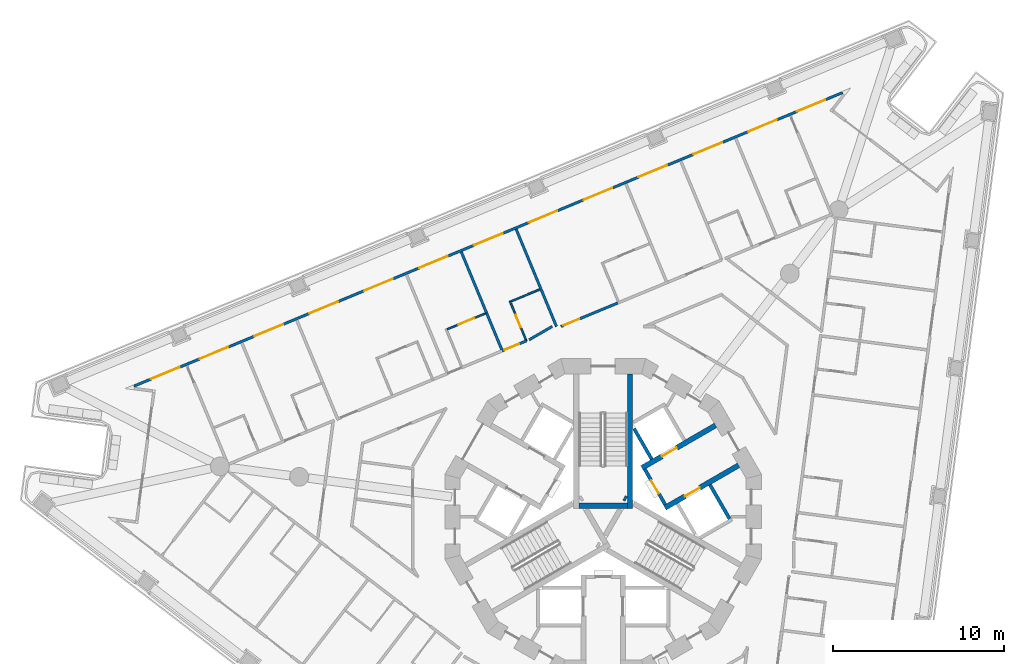
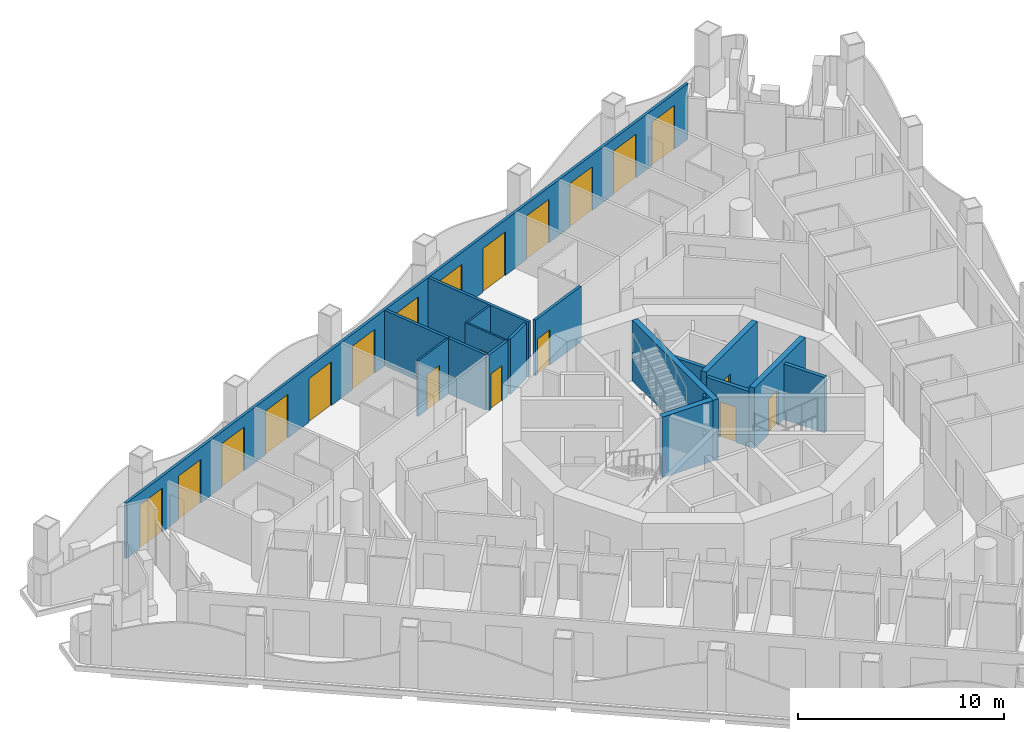
# One storey, part 8 of 18: 20 doors, 18 walls, 20 openings.
"""IFC4 building model written with IfcOpenShell, lengths in metres."""

from ifc_helpers import new_model, si_unit, direction, frame, frame_2d, origin, place, context, subcontext, project, spatial, polyline, rectangle, outline, extrude, material, layer, layer_set, type_object, element, fill, save


model = new_model("IFC4")

# Units and contexts
model_context = context("Model", 3, precision=1e-05, world=origin(), true_north=direction((0.0, 1.0)))
body_context = subcontext(model_context, "Body", "Model", "MODEL_VIEW")
ifc_project = project(units=[si_unit("LENGTHUNIT", "METRE"), si_unit("AREAUNIT", "SQUARE_METRE"), si_unit("VOLUMEUNIT", "CUBIC_METRE"), si_unit("PLANEANGLEUNIT", "RADIAN"), si_unit("MASSUNIT", "GRAM", prefix="KILO")], contexts=[model_context])

# Site, building, storey
site_placement = place(None, origin())
site = spatial("IfcSite", under=ifc_project, at=site_placement, CompositionType="ELEMENT")
building_placement = place(site_placement, origin())
building = spatial("IfcBuilding", under=site, at=building_placement, Name="Trine Commons Tower", CompositionType="ELEMENT")
storey_placement = place(building_placement, frame((0.0, 0.0, 145.800048828125)))
storey = spatial("IfcBuildingStorey", under=building, at=storey_placement, Name="L37", CompositionType="ELEMENT", Elevation=145.800048828125)

# Wall, openings, doors
ifc_material_1 = material(Name="Aluminium-framed insulated wall panel", Category="aluminium")
ifc_layer_1 = layer(ifc_material_1, 0.14990234375)
ifc_layer_set_1 = layer_set([ifc_layer_1], Name="Aluminium-framed insulated wall panel")
wall_type_1 = type_object("IfcWallType", Name="Glazed frame wall 150, EI 60", PredefinedType="SOLIDWALL", material=ifc_layer_set_1)
wall_1_placement = place(storey_placement, frame((52.38671875, 70.099609375, 0.0), z_axis=(0.0, 0.0, 1.0), x_axis=(0.92388051416, 0.382681062447, 0.0)))
wall_1 = element("IfcWall", 1, at=wall_1_placement, inside=storey, type_object=wall_type_1, Name="Glazed frame wall F1", PredefinedType="SOLIDWALL", context=body_context, shape_type="SweptSolid", body=[
    extrude(outline(polyline([(0.1494140625, 0.074951171875), (0.1494140625, -0.074951171875), (45.056884765625, -0.074951171875), (45.056884765625, 0.074951171875), (0.1494140625, 0.074951171875)])), origin(), (0.0, 0.0, 1.0), 3.300048828125),
])
opening_1_placement = place(wall_1_placement, frame((1.23876953125, 0.0, 0.0)))
opening_1 = element("IfcOpeningElement", 2, at=opening_1_placement, cuts=wall_1, Name="Opening BD-4F1-01", PredefinedType="OPENING", context=body_context, shape_type="SweptSolid", body=[
    extrude(rectangle(XDim=1.800048828125, YDim=2.60009765625, at=frame_2d((0.89990234375, 1.300048828125))), frame((0.0, 0.0849609375, 0.0), z_axis=(0.0, -1.0, 0.0), x_axis=(1.0, 0.0, 0.0)), (0.0, 0.0, 1.0), 0.169921875),
])
opening_2_placement = place(wall_1_placement, frame((4.316162109375, 0.0, 0.0)))
opening_2 = element("IfcOpeningElement", 3, at=opening_2_placement, cuts=wall_1, Name="Opening BD-4F1-02", PredefinedType="OPENING", context=body_context, shape_type="SweptSolid", body=[
    extrude(rectangle(XDim=1.800048828125, YDim=2.60009765625, at=frame_2d((0.89990234375, 1.300048828125))), frame((0.0, 0.0849609375, 0.0), z_axis=(0.0, -1.0, 0.0), x_axis=(1.0, 0.0, 0.0)), (0.0, 0.0, 1.0), 0.169921875),
])
opening_3_placement = place(wall_1_placement, frame((7.79345703125, 0.0, 0.0)))
opening_3 = element("IfcOpeningElement", 4, at=opening_3_placement, cuts=wall_1, Name="Opening BD-4F1-03", PredefinedType="OPENING", context=body_context, shape_type="SweptSolid", body=[
    extrude(rectangle(XDim=1.800048828125, YDim=2.60009765625, at=frame_2d((0.89990234375, 1.300048828125))), frame((0.0, 0.0849609375, 0.0), z_axis=(0.0, -1.0, 0.0), x_axis=(1.0, 0.0, 0.0)), (0.0, 0.0, 1.0), 0.169921875),
])
opening_4_placement = place(wall_1_placement, frame((11.27099609375, 0.0, 0.0)))
opening_4 = element("IfcOpeningElement", 5, at=opening_4_placement, cuts=wall_1, Name="Opening BD-4F1-04", PredefinedType="OPENING", context=body_context, shape_type="SweptSolid", body=[
    extrude(rectangle(XDim=1.800048828125, YDim=2.60009765625, at=frame_2d((0.89990234375, 1.300048828125))), frame((0.0, 0.0849609375, 0.0), z_axis=(0.0, -1.0, 0.0), x_axis=(1.0, 0.0, 0.0)), (0.0, 0.0, 1.0), 0.169921875),
])
opening_5_placement = place(wall_1_placement, frame((14.748291015625, 0.0, 0.0)))
opening_5 = element("IfcOpeningElement", 6, at=opening_5_placement, cuts=wall_1, Name="Opening BD-4F1-05", PredefinedType="OPENING", context=body_context, shape_type="SweptSolid", body=[
    extrude(rectangle(XDim=1.800048828125, YDim=2.60009765625, at=frame_2d((0.89990234375, 1.300048828125))), frame((0.0, 0.0849609375, 0.0), z_axis=(0.0, -1.0, 0.0), x_axis=(1.0, 0.0, 0.0)), (0.0, 0.0, 1.0), 0.169921875),
])
opening_6_placement = place(wall_1_placement, frame((18.2255859375, 0.0, 0.0)))
opening_6 = element("IfcOpeningElement", 7, at=opening_6_placement, cuts=wall_1, Name="Opening BD-4F1-06", PredefinedType="OPENING", context=body_context, shape_type="SweptSolid", body=[
    extrude(rectangle(XDim=1.800048828125, YDim=2.60009765625, at=frame_2d((0.89990234375, 1.300048828125))), frame((0.0, 0.0849609375, 0.0), z_axis=(0.0, -1.0, 0.0), x_axis=(1.0, 0.0, 0.0)), (0.0, 0.0, 1.0), 0.169921875),
])
opening_7_placement = place(wall_1_placement, frame((21.703125, 0.0, 0.0)))
opening_7 = element("IfcOpeningElement", 8, at=opening_7_placement, cuts=wall_1, Name="Opening BD-4F1-07", PredefinedType="OPENING", context=body_context, shape_type="SweptSolid", body=[
    extrude(rectangle(XDim=1.800048828125, YDim=2.60009765625, at=frame_2d((0.89990234375, 1.300048828125))), frame((0.0, 0.0849609375, 0.0), z_axis=(0.0, -1.0, 0.0), x_axis=(1.0, 0.0, 0.0)), (0.0, 0.0, 1.0), 0.169921875),
])
opening_8_placement = place(wall_1_placement, frame((25.180419921875, 0.0, 0.0)))
opening_8 = element("IfcOpeningElement", 9, at=opening_8_placement, cuts=wall_1, Name="Opening BD-4F1-08", PredefinedType="OPENING", context=body_context, shape_type="SweptSolid", body=[
    extrude(rectangle(XDim=1.800048828125, YDim=2.60009765625, at=frame_2d((0.89990234375, 1.300048828125))), frame((0.0, 0.0849609375, 0.0), z_axis=(0.0, -1.0, 0.0), x_axis=(1.0, 0.0, 0.0)), (0.0, 0.0, 1.0), 0.169921875),
])
opening_9_placement = place(wall_1_placement, frame((28.657958984375, 0.0, 0.0)))
opening_9 = element("IfcOpeningElement", 10, at=opening_9_placement, cuts=wall_1, Name="Opening BD-4F1-09", PredefinedType="OPENING", context=body_context, shape_type="SweptSolid", body=[
    extrude(rectangle(XDim=1.800048828125, YDim=2.60009765625, at=frame_2d((0.89990234375, 1.300048828125))), frame((0.0, 0.0849609375, 0.0), z_axis=(0.0, -1.0, 0.0), x_axis=(1.0, 0.0, 0.0)), (0.0, 0.0, 1.0), 0.169921875),
])
opening_10_placement = place(wall_1_placement, frame((32.13525390625, 0.0, 0.0)))
opening_10 = element("IfcOpeningElement", 11, at=opening_10_placement, cuts=wall_1, Name="Opening BD-4F1-10", PredefinedType="OPENING", context=body_context, shape_type="SweptSolid", body=[
    extrude(rectangle(XDim=1.800048828125, YDim=2.60009765625, at=frame_2d((0.89990234375, 1.300048828125))), frame((0.0, 0.0849609375, 0.0), z_axis=(0.0, -1.0, 0.0), x_axis=(1.0, 0.0, 0.0)), (0.0, 0.0, 1.0), 0.169921875),
])
opening_11_placement = place(wall_1_placement, frame((35.61279296875, 0.0, 0.0)))
opening_11 = element("IfcOpeningElement", 12, at=opening_11_placement, cuts=wall_1, Name="Opening BD-4F1-11", PredefinedType="OPENING", context=body_context, shape_type="SweptSolid", body=[
    extrude(rectangle(XDim=1.800048828125, YDim=2.60009765625, at=frame_2d((0.89990234375, 1.300048828125))), frame((0.0, 0.0849609375, 0.0), z_axis=(0.0, -1.0, 0.0), x_axis=(1.0, 0.0, 0.0)), (0.0, 0.0, 1.0), 0.169921875),
])
opening_12_placement = place(wall_1_placement, frame((39.090087890625, 0.0, 0.0)))
opening_12 = element("IfcOpeningElement", 13, at=opening_12_placement, cuts=wall_1, Name="Opening BD-4F1-12", PredefinedType="OPENING", context=body_context, shape_type="SweptSolid", body=[
    extrude(rectangle(XDim=1.800048828125, YDim=2.60009765625, at=frame_2d((0.89990234375, 1.300048828125))), frame((0.0, 0.0849609375, 0.0), z_axis=(0.0, -1.0, 0.0), x_axis=(1.0, 0.0, 0.0)), (0.0, 0.0, 1.0), 0.169921875),
])
opening_13_placement = place(wall_1_placement, frame((42.16748046875, 0.0, 0.0)))
opening_13 = element("IfcOpeningElement", 14, at=opening_13_placement, cuts=wall_1, Name="Opening BD-4F1-13", PredefinedType="OPENING", context=body_context, shape_type="SweptSolid", body=[
    extrude(rectangle(XDim=1.800048828125, YDim=2.60009765625, at=frame_2d((0.89990234375, 1.300048828125))), frame((0.0, 0.0849609375, 0.0), z_axis=(0.0, -1.0, 0.0), x_axis=(1.0, 0.0, 0.0)), (0.0, 0.0, 1.0), 0.169921875),
])
ifc_material_2 = material(Name="Anodised aluminium frame with double glazing", Category="aluminium")
door_type_1 = type_object("IfcDoorType", Name="Sliding loggia door 1800x2600", OperationType="SLIDING_TO_LEFT", PredefinedType="DOOR", material=ifc_material_2)
door_1_placement = place(opening_1_placement, origin())
door_1 = element("IfcDoor", 15, at=door_1_placement, inside=storey, type_object=door_type_1, Name="Loggia door F1 1", OperationType="SLIDING_TO_LEFT", OverallHeight=2.60009765625, OverallWidth=1.800048828125, PredefinedType="DOOR", context=body_context, shape_type="SweptSolid", body=[
    extrude(rectangle(XDim=1.800048828125, YDim=2.60009765625, at=frame_2d((0.89990234375, 1.300048828125))), frame((0.0, 0.02490234375, 0.0), z_axis=(0.0, -1.0, 0.0), x_axis=(1.0, 0.0, 0.0)), (0.0, 0.0, 1.0), 0.050048828125),
])
fill(opening_1, door_1)
door_2_placement = place(opening_2_placement, origin())
door_2 = element("IfcDoor", 16, at=door_2_placement, inside=storey, type_object=door_type_1, Name="Loggia door F1 2", OperationType="SLIDING_TO_LEFT", OverallHeight=2.60009765625, OverallWidth=1.800048828125, PredefinedType="DOOR", context=body_context, shape_type="SweptSolid", body=[
    extrude(rectangle(XDim=1.800048828125, YDim=2.60009765625, at=frame_2d((0.89990234375, 1.300048828125))), frame((0.0, 0.02490234375, 0.0), z_axis=(0.0, -1.0, 0.0), x_axis=(1.0, 0.0, 0.0)), (0.0, 0.0, 1.0), 0.050048828125),
])
fill(opening_2, door_2)
door_3_placement = place(opening_3_placement, origin())
door_3 = element("IfcDoor", 17, at=door_3_placement, inside=storey, type_object=door_type_1, Name="Loggia door F1 3", OperationType="SLIDING_TO_LEFT", OverallHeight=2.60009765625, OverallWidth=1.800048828125, PredefinedType="DOOR", context=body_context, shape_type="SweptSolid", body=[
    extrude(rectangle(XDim=1.800048828125, YDim=2.60009765625, at=frame_2d((0.89990234375, 1.300048828125))), frame((0.0, 0.02490234375, 0.0), z_axis=(0.0, -1.0, 0.0), x_axis=(1.0, 0.0, 0.0)), (0.0, 0.0, 1.0), 0.050048828125),
])
fill(opening_3, door_3)
door_4_placement = place(opening_4_placement, origin())
door_4 = element("IfcDoor", 18, at=door_4_placement, inside=storey, type_object=door_type_1, Name="Loggia door F1 4", OperationType="SLIDING_TO_LEFT", OverallHeight=2.60009765625, OverallWidth=1.800048828125, PredefinedType="DOOR", context=body_context, shape_type="SweptSolid", body=[
    extrude(rectangle(XDim=1.800048828125, YDim=2.60009765625, at=frame_2d((0.89990234375, 1.300048828125))), frame((0.0, 0.02490234375, 0.0), z_axis=(0.0, -1.0, 0.0), x_axis=(1.0, 0.0, 0.0)), (0.0, 0.0, 1.0), 0.050048828125),
])
fill(opening_4, door_4)
door_5_placement = place(opening_5_placement, origin())
door_5 = element("IfcDoor", 19, at=door_5_placement, inside=storey, type_object=door_type_1, Name="Loggia door F1 5", OperationType="SLIDING_TO_LEFT", OverallHeight=2.60009765625, OverallWidth=1.800048828125, PredefinedType="DOOR", context=body_context, shape_type="SweptSolid", body=[
    extrude(rectangle(XDim=1.800048828125, YDim=2.60009765625, at=frame_2d((0.89990234375, 1.300048828125))), frame((0.0, 0.02490234375, 0.0), z_axis=(0.0, -1.0, 0.0), x_axis=(1.0, 0.0, 0.0)), (0.0, 0.0, 1.0), 0.050048828125),
])
fill(opening_5, door_5)
door_6_placement = place(opening_6_placement, origin())
door_6 = element("IfcDoor", 20, at=door_6_placement, inside=storey, type_object=door_type_1, Name="Loggia door F1 6", OperationType="SLIDING_TO_LEFT", OverallHeight=2.60009765625, OverallWidth=1.800048828125, PredefinedType="DOOR", context=body_context, shape_type="SweptSolid", body=[
    extrude(rectangle(XDim=1.800048828125, YDim=2.60009765625, at=frame_2d((0.89990234375, 1.300048828125))), frame((0.0, 0.02490234375, 0.0), z_axis=(0.0, -1.0, 0.0), x_axis=(1.0, 0.0, 0.0)), (0.0, 0.0, 1.0), 0.050048828125),
])
fill(opening_6, door_6)
door_7_placement = place(opening_7_placement, origin())
door_7 = element("IfcDoor", 21, at=door_7_placement, inside=storey, type_object=door_type_1, Name="Loggia door F1 7", OperationType="SLIDING_TO_LEFT", OverallHeight=2.60009765625, OverallWidth=1.800048828125, PredefinedType="DOOR", context=body_context, shape_type="SweptSolid", body=[
    extrude(rectangle(XDim=1.800048828125, YDim=2.60009765625, at=frame_2d((0.89990234375, 1.300048828125))), frame((0.0, 0.02490234375, 0.0), z_axis=(0.0, -1.0, 0.0), x_axis=(1.0, 0.0, 0.0)), (0.0, 0.0, 1.0), 0.050048828125),
])
fill(opening_7, door_7)
door_8_placement = place(opening_8_placement, origin())
door_8 = element("IfcDoor", 22, at=door_8_placement, inside=storey, type_object=door_type_1, Name="Loggia door F1 8", OperationType="SLIDING_TO_LEFT", OverallHeight=2.60009765625, OverallWidth=1.800048828125, PredefinedType="DOOR", context=body_context, shape_type="SweptSolid", body=[
    extrude(rectangle(XDim=1.800048828125, YDim=2.60009765625, at=frame_2d((0.89990234375, 1.300048828125))), frame((0.0, 0.02490234375, 0.0), z_axis=(0.0, -1.0, 0.0), x_axis=(1.0, 0.0, 0.0)), (0.0, 0.0, 1.0), 0.050048828125),
])
fill(opening_8, door_8)
door_9_placement = place(opening_9_placement, origin())
door_9 = element("IfcDoor", 23, at=door_9_placement, inside=storey, type_object=door_type_1, Name="Loggia door F1 9", OperationType="SLIDING_TO_LEFT", OverallHeight=2.60009765625, OverallWidth=1.800048828125, PredefinedType="DOOR", context=body_context, shape_type="SweptSolid", body=[
    extrude(rectangle(XDim=1.800048828125, YDim=2.60009765625, at=frame_2d((0.89990234375, 1.300048828125))), frame((0.0, 0.02490234375, 0.0), z_axis=(0.0, -1.0, 0.0), x_axis=(1.0, 0.0, 0.0)), (0.0, 0.0, 1.0), 0.050048828125),
])
fill(opening_9, door_9)
door_10_placement = place(opening_10_placement, origin())
door_10 = element("IfcDoor", 24, at=door_10_placement, inside=storey, type_object=door_type_1, Name="Loggia door F1 10", OperationType="SLIDING_TO_LEFT", OverallHeight=2.60009765625, OverallWidth=1.800048828125, PredefinedType="DOOR", context=body_context, shape_type="SweptSolid", body=[
    extrude(rectangle(XDim=1.800048828125, YDim=2.60009765625, at=frame_2d((0.89990234375, 1.300048828125))), frame((0.0, 0.02490234375, 0.0), z_axis=(0.0, -1.0, 0.0), x_axis=(1.0, 0.0, 0.0)), (0.0, 0.0, 1.0), 0.050048828125),
])
fill(opening_10, door_10)
door_11_placement = place(opening_11_placement, origin())
door_11 = element("IfcDoor", 25, at=door_11_placement, inside=storey, type_object=door_type_1, Name="Loggia door F1 11", OperationType="SLIDING_TO_LEFT", OverallHeight=2.60009765625, OverallWidth=1.800048828125, PredefinedType="DOOR", context=body_context, shape_type="SweptSolid", body=[
    extrude(rectangle(XDim=1.800048828125, YDim=2.60009765625, at=frame_2d((0.89990234375, 1.300048828125))), frame((0.0, 0.02490234375, 0.0), z_axis=(0.0, -1.0, 0.0), x_axis=(1.0, 0.0, 0.0)), (0.0, 0.0, 1.0), 0.050048828125),
])
fill(opening_11, door_11)
door_12_placement = place(opening_12_placement, origin())
door_12 = element("IfcDoor", 26, at=door_12_placement, inside=storey, type_object=door_type_1, Name="Loggia door F1 12", OperationType="SLIDING_TO_LEFT", OverallHeight=2.60009765625, OverallWidth=1.800048828125, PredefinedType="DOOR", context=body_context, shape_type="SweptSolid", body=[
    extrude(rectangle(XDim=1.800048828125, YDim=2.60009765625, at=frame_2d((0.89990234375, 1.300048828125))), frame((0.0, 0.02490234375, 0.0), z_axis=(0.0, -1.0, 0.0), x_axis=(1.0, 0.0, 0.0)), (0.0, 0.0, 1.0), 0.050048828125),
])
fill(opening_12, door_12)
door_13_placement = place(opening_13_placement, origin())
door_13 = element("IfcDoor", 27, at=door_13_placement, inside=storey, type_object=door_type_1, Name="Loggia door F1 13", OperationType="SLIDING_TO_LEFT", OverallHeight=2.60009765625, OverallWidth=1.800048828125, PredefinedType="DOOR", context=body_context, shape_type="SweptSolid", body=[
    extrude(rectangle(XDim=1.800048828125, YDim=2.60009765625, at=frame_2d((0.89990234375, 1.300048828125))), frame((0.0, 0.02490234375, 0.0), z_axis=(0.0, -1.0, 0.0), x_axis=(1.0, 0.0, 0.0)), (0.0, 0.0, 1.0), 0.050048828125),
])
fill(opening_13, door_13)

# Wall, opening, door
ifc_material_3 = material(Name="Fire-rated gypsum shaft wall system")
ifc_layer_2 = layer(ifc_material_3, 0.199951171875)
ifc_layer_set_2 = layer_set([ifc_layer_2], Name="Fire-rated gypsum shaft wall system")
wall_type_2 = type_object("IfcWallType", Name="Lobby end wall 200 mm, EI 120", PredefinedType="PARTITIONING", material=ifc_layer_set_2)
wall_2_placement = place(storey_placement, frame((83.631103515625, 63.2109375, 0.0), z_axis=(0.0, 0.0, 1.0), x_axis=(-0.50012165622, 0.865955154139, 0.0)))
wall_2 = element("IfcWall", 28, at=wall_2_placement, inside=storey, type_object=wall_type_2, Name="Lobby end wall L37", PredefinedType="PARTITIONING", context=body_context, shape_type="SweptSolid", body=[
    extrude(rectangle(XDim=2.39990234375, YDim=0.199951171875, at=frame_2d((1.199951171875, 0.0))), origin(), (0.0, 0.0, 1.0), 3.300048828125),
])
opening_14_placement = place(wall_2_placement, frame((0.749755859375, 0.0, 0.0)))
opening_14 = element("IfcOpeningElement", 29, at=opening_14_placement, cuts=wall_2, Name="Opening K12.05", PredefinedType="OPENING", context=body_context, shape_type="SweptSolid", body=[
    extrude(rectangle(XDim=0.89990234375, YDim=2.10009765625, at=frame_2d((0.449951171875, 1.050048828125))), frame((0.0, 0.10986328125, 0.0), z_axis=(0.0, -1.0, 0.0), x_axis=(1.0, 0.0, 0.0)), (0.0, 0.0, 1.0), 0.219970703125),
])
ifc_material_4 = material(Name="Steel door leaf, fire-rated", Category="steel")
door_type_2 = type_object("IfcDoorType", Name="Riser access door, single leaf 900 x 2100, FD60", OperationType="SINGLE_SWING_LEFT", PredefinedType="DOOR", material=ifc_material_4)
door_14_placement = place(opening_14_placement, frame((0.89990234375, 0.0, 0.0), z_axis=(0.0, 0.0, 1.0), x_axis=(-1.0, 0.0, 0.0)))
door_14 = element("IfcDoor", 30, at=door_14_placement, inside=storey, type_object=door_type_2, Name="Riser door, Electrical riser L37", OperationType="SINGLE_SWING_LEFT", OverallHeight=2.10009765625, OverallWidth=0.89990234375, PredefinedType="DOOR", context=body_context, shape_type="SweptSolid", body=[
    extrude(rectangle(XDim=0.89990234375, YDim=2.10009765625, at=frame_2d((0.449951171875, 1.050048828125))), frame((0.0, 0.02490234375, 0.0), z_axis=(0.0, -1.0, 0.0), x_axis=(1.0, 0.0, 0.0)), (0.0, 0.0, 1.0), 0.050048828125),
])
fill(opening_14, door_14)

ifc_material_5 = material(Name="Concrete C70/85", Category="concrete")
ifc_layer_3 = layer(ifc_material_5, 0.300048828125)
ifc_layer_set_3 = layer_set([ifc_layer_3], Name="Concrete C70/85")
wall_type_3 = type_object("IfcWallType", Name="RC shear wall 300 mm, C70/85", PredefinedType="SHEAR", material=ifc_layer_set_3)
wall_3_placement = place(storey_placement, frame((82.26904296875, 65.368896484375, 0.0), z_axis=(0.0, 0.0, 1.0), x_axis=(0.865983655544, 0.500072303102, 0.0)))
wall_3 = element("IfcWall", 31, at=wall_3_placement, inside=storey, type_object=wall_type_3, Name="Core cross wall SWB-05 L37", PredefinedType="SHEAR", context=body_context, shape_type="SweptSolid", body=[
    extrude(rectangle(XDim=4.973388671875, YDim=0.300048828125, at=frame_2d((2.48681640625, 0.0))), origin(), (0.0, 0.0, 1.0), 3.599853515625),
])
opening_15_placement = place(wall_3_placement, frame((1.3505859375, 0.0, 0.0)))
opening_15 = element("IfcOpeningElement", 32, at=opening_15_placement, cuts=wall_3, Name="Opening LD5", PredefinedType="OPENING", context=body_context, shape_type="SweptSolid", body=[
    extrude(rectangle(XDim=1.0, YDim=2.10009765625, at=frame_2d((0.5, 1.050048828125))), frame((0.0, 0.159912109375, 0.0), z_axis=(0.0, -1.0, 0.0), x_axis=(1.0, 0.0, 0.0)), (0.0, 0.0, 1.0), 0.320068359375),
])
ifc_material_6 = material(Name="Stainless steel sliding door leaves", Category="steel")
door_type_3 = type_object("IfcDoorType", Name="Lift landing door, centre-opening sliding 1000 x 2100, FD90", OperationType="DOUBLE_DOOR_SLIDING", PredefinedType="DOOR", material=ifc_material_6)
door_15_placement = place(opening_15_placement, origin())
door_15 = element("IfcDoor", 33, at=door_15_placement, inside=storey, type_object=door_type_3, Name="Lift landing door HR1 L37", OperationType="DOUBLE_DOOR_SLIDING", OverallHeight=2.10009765625, OverallWidth=1.0, PredefinedType="DOOR", context=body_context, shape_type="SweptSolid", body=[
    extrude(rectangle(XDim=1.0, YDim=2.10009765625, at=frame_2d((0.5, 1.050048828125))), frame((0.0, 0.02490234375, 0.0), z_axis=(0.0, -1.0, 0.0), x_axis=(1.0, 0.0, 0.0)), (0.0, 0.0, 1.0), 0.050048828125),
])
fill(opening_15, door_15)

wall_4_placement = place(storey_placement, frame((83.618896484375, 63.031005859375, 0.0), z_axis=(0.0, 0.0, 1.0), x_axis=(0.866080953719, 0.499903772346, 0.0)))
wall_4 = element("IfcWall", 34, at=wall_4_placement, inside=storey, type_object=wall_type_3, Name="Core cross wall SWB-06 L37", PredefinedType="SHEAR", context=body_context, shape_type="SweptSolid", body=[
    extrude(rectangle(XDim=4.97314453125, YDim=0.300048828125, at=frame_2d((2.486572265625, 0.0))), origin(), (0.0, 0.0, 1.0), 3.599853515625),
])
opening_16_placement = place(wall_4_placement, frame((1.350341796875, 0.0, 0.0)))
opening_16 = element("IfcOpeningElement", 35, at=opening_16_placement, cuts=wall_4, Name="Opening LD6", PredefinedType="OPENING", context=body_context, shape_type="SweptSolid", body=[
    extrude(rectangle(XDim=1.0, YDim=2.10009765625, at=frame_2d((0.5, 1.050048828125))), frame((0.0, 0.159912109375, 0.0), z_axis=(0.0, -1.0, 0.0), x_axis=(1.0, 0.0, 0.0)), (0.0, 0.0, 1.0), 0.320068359375),
])
door_16_placement = place(opening_16_placement, origin())
door_16 = element("IfcDoor", 36, at=door_16_placement, inside=storey, type_object=door_type_3, Name="Lift landing door HR2 L37", OperationType="DOUBLE_DOOR_SLIDING", OverallHeight=2.10009765625, OverallWidth=1.0, PredefinedType="DOOR", context=body_context, shape_type="SweptSolid", body=[
    extrude(rectangle(XDim=1.0, YDim=2.10009765625, at=frame_2d((0.5, 1.050048828125))), frame((0.0, 0.02490234375, 0.0), z_axis=(0.0, -1.0, 0.0), x_axis=(1.0, 0.0, 0.0)), (0.0, 0.0, 1.0), 0.050048828125),
])
fill(opening_16, door_16)

# Walls
wall_5_placement = place(storey_placement, frame((81.220947265625, 63.614013671875, 0.0), z_axis=(0.0, 0.0, 1.0), x_axis=(0.867737973955, -0.497021939713, 0.0)))
element("IfcWall", 37, at=wall_5_placement, inside=storey, type_object=wall_type_3, Name="Core cross wall SWB-15 L37", PredefinedType="SHEAR", context=body_context, shape_type="SweptSolid", body=[
    extrude(rectangle(XDim=0.14892578125, YDim=0.300048828125, at=frame_2d((0.074462890625, 0.0))), origin(), (0.0, 0.0, 1.0), 3.599853515625),
])
wall_6_placement = place(storey_placement, frame((81.425048828125, 63.15087890625, 0.0), z_axis=(0.0, 0.0, 1.0), x_axis=(-1.0, 0.0, 0.0)))
element("IfcWall", 38, at=wall_6_placement, inside=storey, type_object=wall_type_3, Name="Core cross wall SWB-16 L37", PredefinedType="SHEAR", context=body_context, shape_type="SweptSolid", body=[
    extrude(rectangle(XDim=2.85009765625, YDim=0.300048828125, at=frame_2d((1.425048828125, 0.0))), origin(), (0.0, 0.0, 1.0), 3.599853515625),
])
wall_7_placement = place(storey_placement, frame((81.574951171875, 63.0009765625, 0.0), z_axis=(0.0, 0.0, 1.0), x_axis=(0.0, 1.0, 0.0)))
element("IfcWall", 39, at=wall_7_placement, inside=storey, type_object=wall_type_3, Name="Core cross wall SWB-17 L37", PredefinedType="SHEAR", context=body_context, shape_type="SweptSolid", body=[
    extrude(rectangle(XDim=7.8720703125, YDim=0.300048828125, at=frame_2d((3.93603515625, 0.0))), origin(), (0.0, 0.0, 1.0), 3.599853515625),
])
ifc_layer_4 = layer(ifc_material_3, 0.199951171875)
ifc_layer_set_4 = layer_set([ifc_layer_4], Name="Fire-rated gypsum shaft wall system")
wall_type_4 = type_object("IfcWallType", Name="Shaft wall 200 mm, EI 120", PredefinedType="PARTITIONING", material=ifc_layer_set_4)
wall_8_placement = place(storey_placement, frame((82.843994140625, 65.8740234375, 0.0), z_axis=(0.0, 0.0, 1.0), x_axis=(-0.499865770674, 0.866102887253, 0.0)))
element("IfcWall", 40, at=wall_8_placement, inside=storey, type_object=wall_type_4, Name="Shaft wall L37", PredefinedType="PARTITIONING", context=body_context, shape_type="SweptSolid", body=[
    extrude(rectangle(XDim=2.064453125, YDim=0.199951171875, at=frame_2d((1.0322265625, 0.0))), origin(), (0.0, 0.0, 1.0), 3.300048828125),
])
wall_9_placement = place(storey_placement, frame((86.2490234375, 64.3759765625, 0.0), z_axis=(0.0, 0.0, 1.0), x_axis=(0.500136062276, -0.86594683394, 0.0)))
element("IfcWall", 41, at=wall_9_placement, inside=storey, type_object=wall_type_4, Name="Shaft wall L37", PredefinedType="PARTITIONING", context=body_context, shape_type="SweptSolid", body=[
    extrude(rectangle(XDim=2.299072265625, YDim=0.199951171875, at=frame_2d((1.1494140625, 0.0))), origin(), (0.0, 0.0, 1.0), 3.300048828125),
])
ifc_material_7 = material(Name="Gypsum plasterboard on steel stud", Category="steel")
ifc_layer_5 = layer(ifc_material_7, 0.14990234375)
ifc_layer_set_5 = layer_set([ifc_layer_5], Name="Gypsum plasterboard on steel stud")
wall_type_5 = type_object("IfcWallType", Name="Unit and corridor wall 150 mm, EI 60", PredefinedType="PARTITIONING", material=ifc_layer_set_5)
wall_10_placement = place(storey_placement, frame((71.69140625, 78.014892578125, 0.0), z_axis=(0.0, 0.0, 1.0), x_axis=(0.382665703831, -0.923886875711, 0.0)))
element("IfcWall", 42, at=wall_10_placement, inside=storey, type_object=wall_type_5, Name="Partition 050", PredefinedType="PARTITIONING", context=body_context, shape_type="SweptSolid", body=[
    extrude(rectangle(XDim=3.869384765625, YDim=0.14990234375, at=frame_2d((1.9345703125, 0.0))), origin(), (0.0, 0.0, 1.0), 3.300048828125),
])
wall_11_placement = place(storey_placement, frame((73.172119140625, 74.43994140625, 0.0), z_axis=(0.0, 0.0, 1.0), x_axis=(0.382877328836, -0.923799194123, 0.0)))
element("IfcWall", 43, at=wall_11_placement, inside=storey, type_object=wall_type_5, Name="Partition 054", PredefinedType="PARTITIONING", context=body_context, shape_type="SweptSolid", body=[
    extrude(rectangle(XDim=2.324951171875, YDim=0.14990234375, at=frame_2d((1.16259765625, 0.0))), origin(), (0.0, 0.0, 1.0), 3.300048828125),
])

# Wall, opening, door
wall_12_placement = place(storey_placement, frame((74.087890625, 72.220947265625, 0.0), z_axis=(0.0, 0.0, 1.0), x_axis=(0.923720156635, 0.383067973375, 0.0)))
wall_12 = element("IfcWall", 44, at=wall_12_placement, inside=storey, type_object=wall_type_5, Name="Partition 057", PredefinedType="PARTITIONING", context=body_context, shape_type="SweptSolid", body=[
    extrude(rectangle(XDim=1.535400390625, YDim=0.14990234375, at=frame_2d((0.767578125, 0.0))), origin(), (0.0, 0.0, 1.0), 3.300048828125),
])
opening_17_placement = place(wall_12_placement, frame((0.153564453125, 0.0, 0.0)))
opening_17 = element("IfcOpeningElement", 45, at=opening_17_placement, cuts=wall_12, Name="Opening D-4C09", PredefinedType="OPENING", context=body_context, shape_type="SweptSolid", body=[
    extrude(rectangle(XDim=0.89990234375, YDim=2.10009765625, at=frame_2d((0.449951171875, 1.050048828125))), frame((0.0, 0.0849609375, 0.0), z_axis=(0.0, -1.0, 0.0), x_axis=(1.0, 0.0, 0.0)), (0.0, 0.0, 1.0), 0.169921875),
])
ifc_material_8 = material(Name="Timber fire door set", Category="wood")
door_type_4 = type_object("IfcDoorType", Name="Bedroom door 900 x 2100, FD30S", OperationType="NOTDEFINED", PredefinedType="DOOR", material=ifc_material_8)
door_17_placement = place(opening_17_placement, origin())
door_17 = element("IfcDoor", 46, at=door_17_placement, inside=storey, type_object=door_type_4, Name="Door D-4C09", OperationType="SINGLE_SWING_LEFT", OverallHeight=2.10009765625, OverallWidth=0.89990234375, PredefinedType="DOOR", context=body_context, shape_type="SweptSolid", body=[
    extrude(rectangle(XDim=0.89990234375, YDim=2.10009765625, at=frame_2d((0.449951171875, 1.050048828125))), frame((0.0, 0.02490234375, 0.0), z_axis=(0.0, -1.0, 0.0), x_axis=(1.0, 0.0, 0.0)), (0.0, 0.0, 1.0), 0.050048828125),
])
fill(opening_17, door_17)

# Walls
wall_13_placement = place(storey_placement, frame((74.904296875, 79.344970703125, 0.0), z_axis=(0.0, 0.0, 1.0), x_axis=(0.382660672574, -0.923888959597, 0.0)))
element("IfcWall", 47, at=wall_13_placement, inside=storey, type_object=wall_type_5, Name="Partition 061", PredefinedType="PARTITIONING", context=body_context, shape_type="SweptSolid", body=[
    extrude(rectangle(XDim=6.166259765625, YDim=0.14990234375, at=frame_2d((3.0830078125, 0.0))), origin(), (0.0, 0.0, 1.0), 3.300048828125),
])
wall_14_placement = place(storey_placement, frame((75.666015625, 72.8701171875, 0.0), z_axis=(0.0, 0.0, 1.0), x_axis=(0.865973841288, 0.500089298231, 0.0)))
element("IfcWall", 48, at=wall_14_placement, inside=storey, type_object=wall_type_5, Name="Partition 062", PredefinedType="PARTITIONING", context=body_context, shape_type="SweptSolid", body=[
    extrude(rectangle(XDim=1.555419921875, YDim=0.14990234375, at=frame_2d((0.77783203125, 0.0))), origin(), (0.0, 0.0, 1.0), 3.300048828125),
])

# Wall, opening, door
wall_15_placement = place(storey_placement, frame((77.531982421875, 73.64794921875, 0.0), z_axis=(0.0, 0.0, 1.0), x_axis=(0.923897383917, 0.382640332417, 0.0)))
wall_15 = element("IfcWall", 49, at=wall_15_placement, inside=storey, type_object=wall_type_5, Name="Partition 066", PredefinedType="PARTITIONING", context=body_context, shape_type="SweptSolid", body=[
    extrude(rectangle(XDim=3.66162109375, YDim=0.14990234375, at=frame_2d((1.830810546875, 0.0))), origin(), (0.0, 0.0, 1.0), 3.300048828125),
])
opening_18_placement = place(wall_15_placement, frame((0.152099609375, 0.0, 0.0)))
opening_18 = element("IfcOpeningElement", 50, at=opening_18_placement, cuts=wall_15, Name="Opening D-4C10", PredefinedType="OPENING", context=body_context, shape_type="SweptSolid", body=[
    extrude(rectangle(XDim=1.0, YDim=2.10009765625, at=frame_2d((0.5, 1.050048828125))), frame((0.0, 0.0849609375, 0.0), z_axis=(0.0, -1.0, 0.0), x_axis=(1.0, 0.0, 0.0)), (0.0, 0.0, 1.0), 0.169921875),
])
door_type_5 = type_object("IfcDoorType", Name="Bedroom door 1000 x 2100, FD30S", OperationType="NOTDEFINED", PredefinedType="DOOR", material=ifc_material_8)
door_18_placement = place(opening_18_placement, origin())
door_18 = element("IfcDoor", 51, at=door_18_placement, inside=storey, type_object=door_type_5, Name="Door D-4C10", OperationType="SINGLE_SWING_LEFT", OverallHeight=2.10009765625, OverallWidth=1.0, PredefinedType="DOOR", context=body_context, shape_type="SweptSolid", body=[
    extrude(rectangle(XDim=1.0, YDim=2.10009765625, at=frame_2d((0.5, 1.050048828125))), frame((0.0, 0.02490234375, 0.0), z_axis=(0.0, -1.0, 0.0), x_axis=(1.0, 0.0, 0.0)), (0.0, 0.0, 1.0), 0.050048828125),
])
fill(opening_18, door_18)

ifc_layer_6 = layer(ifc_material_7, 0.10009765625)
ifc_layer_set_6 = layer_set([ifc_layer_6], Name="Gypsum plasterboard on steel stud")
wall_type_6 = type_object("IfcWallType", Name="Unit partition 100 mm, no rating", PredefinedType="PARTITIONING", material=ifc_layer_set_6)
wall_16_placement = place(storey_placement, frame((70.8623046875, 73.483154296875, 0.0), z_axis=(0.0, 0.0, 1.0), x_axis=(0.923852403891, 0.382748920082, 0.0)))
wall_16 = element("IfcWall", 52, at=wall_16_placement, inside=storey, type_object=wall_type_6, Name="Partition 049", PredefinedType="PARTITIONING", context=body_context, shape_type="SweptSolid", body=[
    extrude(rectangle(XDim=2.425048828125, YDim=0.10009765625, at=frame_2d((1.21240234375, 0.0))), origin(), (0.0, 0.0, 1.0), 3.300048828125),
])
opening_19_placement = place(wall_16_placement, frame((0.712646484375, 0.0, 0.0)))
opening_19 = element("IfcOpeningElement", 53, at=opening_19_placement, cuts=wall_16, Name="Opening D-4C41", PredefinedType="OPENING", context=body_context, shape_type="SweptSolid", body=[
    extrude(rectangle(XDim=1.0, YDim=2.10009765625, at=frame_2d((0.5, 1.050048828125))), frame((0.0, 0.06005859375, 0.0), z_axis=(0.0, -1.0, 0.0), x_axis=(1.0, 0.0, 0.0)), (0.0, 0.0, 1.0), 0.1201171875),
])
ifc_material_9 = material(Name="Painted timber", Category="wood")
door_type_6 = type_object("IfcDoorType", Name="Internal door 1000 x 2100, NOT RATED", OperationType="NOTDEFINED", PredefinedType="DOOR", material=ifc_material_9)
door_19_placement = place(opening_19_placement, origin())
door_19 = element("IfcDoor", 54, at=door_19_placement, inside=storey, type_object=door_type_6, Name="Door D-4C41", OperationType="SINGLE_SWING_RIGHT", OverallHeight=2.10009765625, OverallWidth=1.0, PredefinedType="DOOR", context=body_context, shape_type="SweptSolid", body=[
    extrude(rectangle(XDim=1.0, YDim=2.10009765625, at=frame_2d((0.5, 1.050048828125))), frame((0.0, 0.02490234375, 0.0), z_axis=(0.0, -1.0, 0.0), x_axis=(1.0, 0.0, 0.0)), (0.0, 0.0, 1.0), 0.050048828125),
])
fill(opening_19, door_19)

wall_17_placement = place(storey_placement, frame((74.533935546875, 75.145263671875, 0.0), z_axis=(0.0, 0.0, 1.0), x_axis=(0.382490955249, -0.923959235655, 0.0)))
wall_17 = element("IfcWall", 55, at=wall_17_placement, inside=storey, type_object=wall_type_6, Name="Partition 058", PredefinedType="PARTITIONING", context=body_context, shape_type="SweptSolid", body=[
    extrude(rectangle(XDim=2.53076171875, YDim=0.10009765625, at=frame_2d((1.265380859375, 0.0))), origin(), (0.0, 0.0, 1.0), 3.300048828125),
])
opening_20_placement = place(wall_17_placement, frame((0.890380859375, 0.0, 0.0)))
opening_20 = element("IfcOpeningElement", 56, at=opening_20_placement, cuts=wall_17, Name="Opening D-4C42", PredefinedType="OPENING", context=body_context, shape_type="SweptSolid", body=[
    extrude(rectangle(XDim=0.800048828125, YDim=2.10009765625, at=frame_2d((0.39990234375, 1.050048828125))), frame((0.0, 0.06005859375, 0.0), z_axis=(0.0, -1.0, 0.0), x_axis=(1.0, 0.0, 0.0)), (0.0, 0.0, 1.0), 0.1201171875),
])
door_type_7 = type_object("IfcDoorType", Name="Internal door 800 x 2100, NOT RATED", OperationType="NOTDEFINED", PredefinedType="DOOR", material=ifc_material_9)
door_20_placement = place(opening_20_placement, frame((0.800048828125, 0.0, 0.0), z_axis=(0.0, 0.0, 1.0), x_axis=(-1.0, 0.0, 0.0)))
door_20 = element("IfcDoor", 57, at=door_20_placement, inside=storey, type_object=door_type_7, Name="Door D-4C42", OperationType="SINGLE_SWING_LEFT", OverallHeight=2.10009765625, OverallWidth=0.800048828125, PredefinedType="DOOR", context=body_context, shape_type="SweptSolid", body=[
    extrude(rectangle(XDim=0.800048828125, YDim=2.10009765625, at=frame_2d((0.39990234375, 1.050048828125))), frame((0.0, 0.02490234375, 0.0), z_axis=(0.0, -1.0, 0.0), x_axis=(1.0, 0.0, 0.0)), (0.0, 0.0, 1.0), 0.050048828125),
])
fill(opening_20, door_20)

# Wall
wall_18_placement = place(storey_placement, frame((74.59912109375, 75.1181640625, 0.0), z_axis=(0.0, 0.0, 1.0), x_axis=(0.923677447173, 0.383170945641, 0.0)))
element("IfcWall", 58, at=wall_18_placement, inside=storey, type_object=wall_type_6, Name="Partition 059", PredefinedType="PARTITIONING", context=body_context, shape_type="SweptSolid", body=[
    extrude(rectangle(XDim=1.82470703125, YDim=0.10009765625, at=frame_2d((0.912353515625, 0.0))), origin(), (0.0, 0.0, 1.0), 3.300048828125),
])

save(model, "model.ifc")
